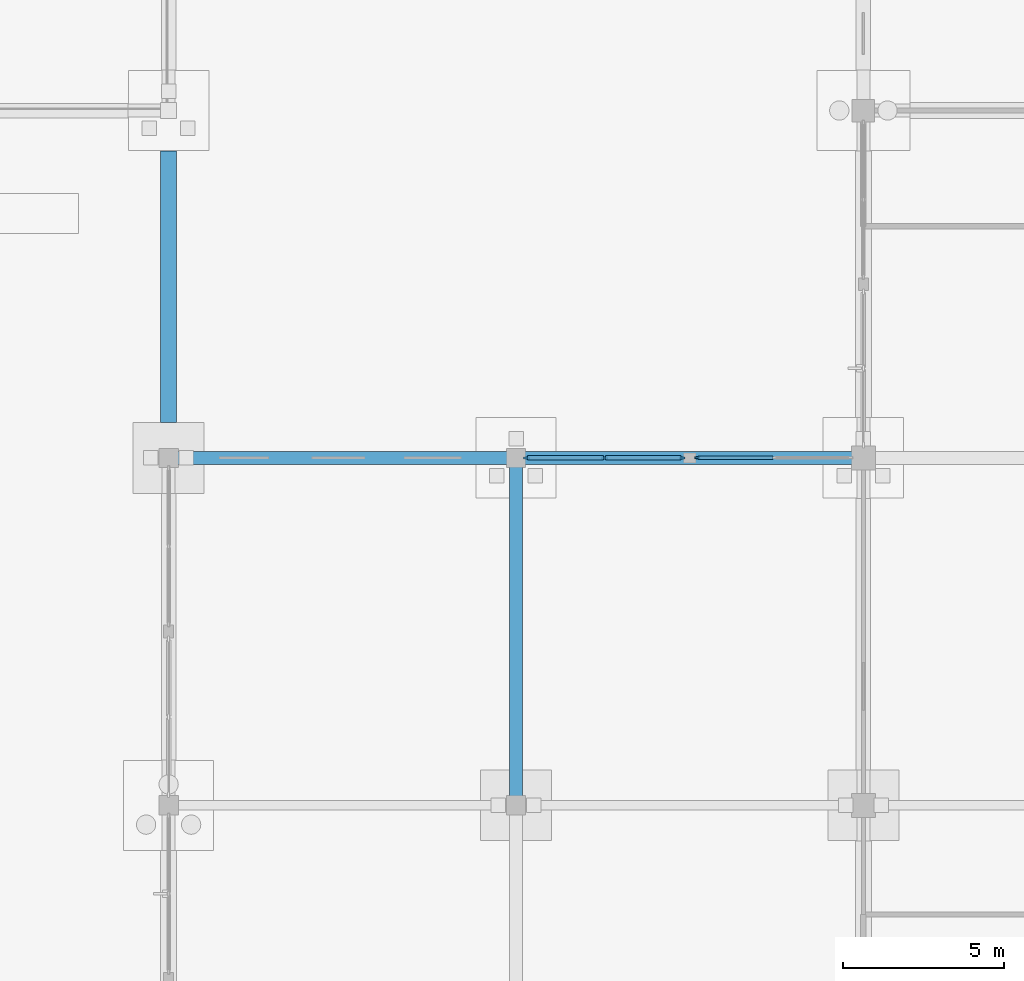
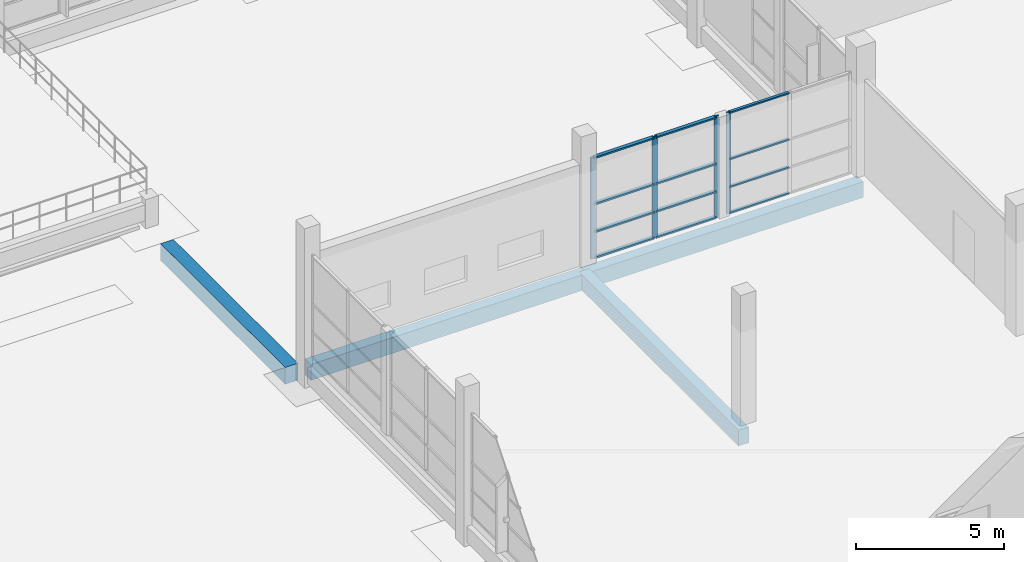
# One storey, part 31 of 138: 16 members, 4 beams, 2 elements without a shape of their own.
"""IFC4 building model written with IfcOpenShell, lengths in metres."""

from ifc_helpers import new_model, si_unit, direction, frame, origin, origin_2d, place, context, subcontext, project, spatial, rectangle, extrude, material, material_profile, profile_set, type_object, element, aggregate, save


model = new_model("IFC4")

# Units and contexts
model_context = context("Model", 3, precision=1e-05, world=origin(), true_north=direction((0.0, 1.0)))
body_context = subcontext(model_context, "Body", "Model", "MODEL_VIEW")
ifc_project = project(units=[si_unit("LENGTHUNIT", "METRE"), si_unit("AREAUNIT", "SQUARE_METRE"), si_unit("VOLUMEUNIT", "CUBIC_METRE"), si_unit("PLANEANGLEUNIT", "RADIAN"), si_unit("MASSUNIT", "GRAM", prefix="KILO")], contexts=[model_context])

# Site, building, storey
site_placement = place(None, origin())
site = spatial("IfcSite", under=ifc_project, at=site_placement, CompositionType="ELEMENT")
building_placement = place(site_placement, origin())
building = spatial("IfcBuilding", under=site, at=building_placement, Name="Zwinboog Wholesale Market", CompositionType="ELEMENT")
storey_placement = place(building_placement, origin())
storey = spatial("IfcBuildingStorey", under=building, at=storey_placement, Name="L00", CompositionType="ELEMENT", Elevation=0.0)

# Beams
ifc_material_1 = material(Name="Precast concrete C45/55", Category="concrete")
ifc_material_profile_1 = material_profile(ifc_material_1, rectangle(XDim=0.39990234375, YDim=0.64990234375, at=origin_2d()), Name="PC 400x650")
ifc_profile_set_1 = profile_set([ifc_material_profile_1], Name="Precast concrete C45/55")
beam_type_1 = type_object("IfcBeamType", Name="BT-05", PredefinedType="BEAM", material=ifc_profile_set_1)
for number, where, z_axis, x_axis, name in (
    (1, (108.0, 21.60009765625, -0.705078125), (1.0, 0.0, 0.0), (0.0, 1.0, 0.0), "BG-05 (BMG-L00-1080-0216-0033)"),
    (2, (118.800048828125, 21.60009765625, -0.705078125), (1.0, 0.0, 0.0), (0.0, 1.0, 0.0), "BG-05 (BMG-L00-1188-0216-0034)"),
    (3, (118.800048828125, 10.800048828125, -0.705078125), (0.0, 1.0, 0.0), (-1.0, 0.0, 0.0), "BG-05 (BMG-L00-1188-0108-0320)"),
):
    element("IfcBeam", number, at=place(storey_placement, frame(where, z_axis=z_axis, x_axis=x_axis)), inside=storey, type_object=beam_type_1, Name=name, PredefinedType="BEAM", context=body_context, shape_type="SweptSolid", body=[
        extrude(rectangle(XDim=0.39990234375, YDim=0.64990234375, at=origin_2d()), origin(), (0.0, 0.0, 1.0), 10.800048828125),
    ])
ifc_material_2 = material(Name="Concrete C35/45", Category="concrete")
ifc_material_profile_2 = material_profile(ifc_material_2, rectangle(XDim=0.5, YDim=0.699951171875, at=origin_2d()), Name="RC 500x700")
ifc_profile_set_2 = profile_set([ifc_material_profile_2], Name="Concrete C35/45")
beam_type_2 = type_object("IfcBeamType", Name="BT-12", PredefinedType="USERDEFINED", material=ifc_profile_set_2)
beam_placement = place(storey_placement, frame((108.0, 22.705078125, -1.550048828125), z_axis=(0.0, 1.0, 0.0), x_axis=(-1.0, 0.0, 0.0)))
element("IfcBeam", 4, at=beam_placement, inside=storey, type_object=beam_type_2, Name="GB-01 (BM-GB-0162)", ObjectType="GROUND_BEAM", PredefinedType="USERDEFINED", context=body_context, shape_type="SweptSolid", body=[
    extrude(rectangle(XDim=0.5, YDim=0.699951171875, at=origin_2d()), origin(), (0.0, 0.0, 1.0), 8.43994140625),
])

# Curtain wall, members
ifc_material_3 = material(Name="Aluminium thermally broken curtain wall", Category="aluminium")
curtain_wall_type_1 = type_object("IfcCurtainWallType", Name="CWT-CAFE-22", PredefinedType="USERDEFINED", material=ifc_material_3)
curtain_wall_1_placement = place(storey_placement, origin())
curtain_wall_1 = element("IfcCurtainWall", 5, at=curtain_wall_1_placement, inside=storey, type_object=curtain_wall_type_1, Name="CW-05 (CW-L00-041)", ObjectType="STOREFRONT_GLAZING", PredefinedType="USERDEFINED")
ifc_material_4 = material(Name="Aluminium EN AW-6060", Category="aluminium")
ifc_material_profile_3 = material_profile(ifc_material_4, rectangle(XDim=0.06494140625, YDim=0.179931640625, at=origin_2d()), Name="AL 65x180")
ifc_profile_set_3 = profile_set([ifc_material_profile_3], Name="Aluminium EN AW-6060")
member_type_1 = type_object("IfcMemberType", Name="CWM-65x180", PredefinedType="MULLION", material=ifc_profile_set_3)
member_1_placement = place(storey_placement, frame((119.12744140625, 21.60009765625, 0.0), z_axis=(0.0, 0.0, 1.0), x_axis=(0.0, 1.0, 0.0)))
member_1 = element("IfcMember", 6, at=member_1_placement, type_object=member_type_1, Name="CW-05 mullion 1", PredefinedType="MULLION", context=body_context, shape_type="SweptSolid", body=[
    extrude(rectangle(XDim=0.06494140625, YDim=0.179931640625, at=origin_2d()), origin(), (0.0, 0.0, 1.0), 4.197998046875),
])
member_2_placement = place(storey_placement, frame((121.547607421875, 21.60009765625, 0.0), z_axis=(0.0, 0.0, 1.0), x_axis=(0.0, 1.0, 0.0)))
member_2 = element("IfcMember", 7, at=member_2_placement, type_object=member_type_1, Name="CW-05 mullion 2", PredefinedType="MULLION", context=body_context, shape_type="SweptSolid", body=[
    extrude(rectangle(XDim=0.06494140625, YDim=0.179931640625, at=origin_2d()), origin(), (0.0, 0.0, 1.0), 4.197998046875),
])
member_3_placement = place(storey_placement, frame((123.967529296875, 21.60009765625, 0.0), z_axis=(0.0, 0.0, 1.0), x_axis=(0.0, 1.0, 0.0)))
member_3 = element("IfcMember", 8, at=member_3_placement, type_object=member_type_1, Name="CW-05 mullion 3", PredefinedType="MULLION", context=body_context, shape_type="SweptSolid", body=[
    extrude(rectangle(XDim=0.06494140625, YDim=0.179931640625, at=origin_2d()), origin(), (0.0, 0.0, 1.0), 4.197998046875),
])

# Curtain wall, member
curtain_wall_type_2 = type_object("IfcCurtainWallType", Name="CWT-OFF-15", PredefinedType="USERDEFINED", material=ifc_material_3)
curtain_wall_2_placement = place(storey_placement, origin())
curtain_wall_2 = element("IfcCurtainWall", 9, at=curtain_wall_2_placement, inside=storey, type_object=curtain_wall_type_2, Name="CW-06 (CW-L00-042)", ObjectType="UNITIZED_CURTAIN_WALL", PredefinedType="USERDEFINED")
ifc_material_profile_4 = material_profile(ifc_material_4, rectangle(XDim=0.06005859375, YDim=0.14990234375, at=origin_2d()), Name="AL 60x150")
ifc_profile_set_4 = profile_set([ifc_material_profile_4], Name="Aluminium EN AW-6060")
member_type_2 = type_object("IfcMemberType", Name="CWM-60x150", PredefinedType="MULLION", material=ifc_profile_set_4)
member_4_placement = place(storey_placement, frame((124.429931640625, 21.60009765625, 0.0), z_axis=(0.0, 0.0, 1.0), x_axis=(0.0, 1.0, 0.0)))
member_4 = element("IfcMember", 10, at=member_4_placement, type_object=member_type_2, Name="CW-06 mullion 1", PredefinedType="MULLION", context=body_context, shape_type="SweptSolid", body=[
    extrude(rectangle(XDim=0.06005859375, YDim=0.14990234375, at=origin_2d()), origin(), (0.0, 0.0, 1.0), 4.197998046875),
])

# Member
ifc_material_profile_5 = material_profile(ifc_material_4, rectangle(XDim=0.139892578125, YDim=0.06494140625, at=origin_2d()), Name="AL 65x140")
ifc_profile_set_5 = profile_set([ifc_material_profile_5], Name="Aluminium EN AW-6060")
member_type_3 = type_object("IfcMemberType", Name="CWT-65x140", PredefinedType="USERDEFINED", material=ifc_profile_set_5)
member_5_placement = place(storey_placement, frame((119.159912109375, 21.60009765625, 0.032470703125), z_axis=(1.0, 0.0, 0.0), x_axis=(0.0, 1.0, 0.0)))
member_5 = element("IfcMember", 11, at=member_5_placement, type_object=member_type_3, Name="CW-05 transom 1.1", ObjectType="TRANSOM", PredefinedType="USERDEFINED", context=body_context, shape_type="SweptSolid", body=[
    extrude(rectangle(XDim=0.139892578125, YDim=0.06494140625, at=origin_2d()), origin(), (0.0, 0.0, 1.0), 2.35498046875),
])

member_6_placement = place(storey_placement, frame((119.159912109375, 21.60009765625, 1.10009765625), z_axis=(1.0, 0.0, 0.0), x_axis=(0.0, 1.0, 0.0)))
member_6 = element("IfcMember", 12, at=member_6_placement, type_object=member_type_3, Name="CW-05 transom 1.2", ObjectType="TRANSOM", PredefinedType="USERDEFINED", context=body_context, shape_type="SweptSolid", body=[
    extrude(rectangle(XDim=0.139892578125, YDim=0.06494140625, at=origin_2d()), origin(), (0.0, 0.0, 1.0), 2.35498046875),
])

member_7_placement = place(storey_placement, frame((119.159912109375, 21.60009765625, 2.25), z_axis=(1.0, 0.0, 0.0), x_axis=(0.0, 1.0, 0.0)))
member_7 = element("IfcMember", 13, at=member_7_placement, type_object=member_type_3, Name="CW-05 transom 1.3", ObjectType="TRANSOM", PredefinedType="USERDEFINED", context=body_context, shape_type="SweptSolid", body=[
    extrude(rectangle(XDim=0.139892578125, YDim=0.06494140625, at=origin_2d()), origin(), (0.0, 0.0, 1.0), 2.35498046875),
])

member_8_placement = place(storey_placement, frame((119.159912109375, 21.60009765625, 4.16552734375), z_axis=(1.0, 0.0, 0.0), x_axis=(0.0, 1.0, 0.0)))
member_8 = element("IfcMember", 14, at=member_8_placement, type_object=member_type_3, Name="CW-05 transom 1.4", ObjectType="TRANSOM", PredefinedType="USERDEFINED", context=body_context, shape_type="SweptSolid", body=[
    extrude(rectangle(XDim=0.139892578125, YDim=0.06494140625, at=origin_2d()), origin(), (0.0, 0.0, 1.0), 2.35498046875),
])

member_9_placement = place(storey_placement, frame((121.580078125, 21.60009765625, 0.032470703125), z_axis=(1.0, 0.0, 0.0), x_axis=(0.0, 1.0, 0.0)))
member_9 = element("IfcMember", 15, at=member_9_placement, type_object=member_type_3, Name="CW-05 transom 2.1", ObjectType="TRANSOM", PredefinedType="USERDEFINED", context=body_context, shape_type="SweptSolid", body=[
    extrude(rectangle(XDim=0.139892578125, YDim=0.06494140625, at=origin_2d()), origin(), (0.0, 0.0, 1.0), 2.35498046875),
])

member_10_placement = place(storey_placement, frame((121.580078125, 21.60009765625, 1.10009765625), z_axis=(1.0, 0.0, 0.0), x_axis=(0.0, 1.0, 0.0)))
member_10 = element("IfcMember", 16, at=member_10_placement, type_object=member_type_3, Name="CW-05 transom 2.2", ObjectType="TRANSOM", PredefinedType="USERDEFINED", context=body_context, shape_type="SweptSolid", body=[
    extrude(rectangle(XDim=0.139892578125, YDim=0.06494140625, at=origin_2d()), origin(), (0.0, 0.0, 1.0), 2.35498046875),
])

member_11_placement = place(storey_placement, frame((121.580078125, 21.60009765625, 2.25), z_axis=(1.0, 0.0, 0.0), x_axis=(0.0, 1.0, 0.0)))
member_11 = element("IfcMember", 17, at=member_11_placement, type_object=member_type_3, Name="CW-05 transom 2.3", ObjectType="TRANSOM", PredefinedType="USERDEFINED", context=body_context, shape_type="SweptSolid", body=[
    extrude(rectangle(XDim=0.139892578125, YDim=0.06494140625, at=origin_2d()), origin(), (0.0, 0.0, 1.0), 2.35498046875),
])

member_12_placement = place(storey_placement, frame((121.580078125, 21.60009765625, 4.16552734375), z_axis=(1.0, 0.0, 0.0), x_axis=(0.0, 1.0, 0.0)))
member_12 = element("IfcMember", 18, at=member_12_placement, type_object=member_type_3, Name="CW-05 transom 2.4", ObjectType="TRANSOM", PredefinedType="USERDEFINED", context=body_context, shape_type="SweptSolid", body=[
    extrude(rectangle(XDim=0.139892578125, YDim=0.06494140625, at=origin_2d()), origin(), (0.0, 0.0, 1.0), 2.35498046875),
])

aggregate(curtain_wall_1, [member_1, member_2, member_3, member_5, member_6, member_7, member_8, member_9, member_10, member_11, member_12])

ifc_material_profile_6 = material_profile(ifc_material_4, rectangle(XDim=0.110107421875, YDim=0.06005859375, at=origin_2d()), Name="AL 60x110")
ifc_profile_set_6 = profile_set([ifc_material_profile_6], Name="Aluminium EN AW-6060")
member_type_4 = type_object("IfcMemberType", Name="CWT-60x110", PredefinedType="USERDEFINED", material=ifc_profile_set_6)
member_13_placement = place(storey_placement, frame((124.4599609375, 21.60009765625, 0.030029296875), z_axis=(1.0, 0.0, 0.0), x_axis=(0.0, 1.0, 0.0)))
member_13 = element("IfcMember", 19, at=member_13_placement, type_object=member_type_4, Name="CW-06 transom 1.1", ObjectType="TRANSOM", PredefinedType="USERDEFINED", context=body_context, shape_type="SweptSolid", body=[
    extrude(rectangle(XDim=0.110107421875, YDim=0.06005859375, at=origin_2d()), origin(), (0.0, 0.0, 1.0), 2.324951171875),
])

member_14_placement = place(storey_placement, frame((124.4599609375, 21.60009765625, 1.10009765625), z_axis=(1.0, 0.0, 0.0), x_axis=(0.0, 1.0, 0.0)))
member_14 = element("IfcMember", 20, at=member_14_placement, type_object=member_type_4, Name="CW-06 transom 1.2", ObjectType="TRANSOM", PredefinedType="USERDEFINED", context=body_context, shape_type="SweptSolid", body=[
    extrude(rectangle(XDim=0.110107421875, YDim=0.06005859375, at=origin_2d()), origin(), (0.0, 0.0, 1.0), 2.324951171875),
])

member_15_placement = place(storey_placement, frame((124.4599609375, 21.60009765625, 2.25), z_axis=(1.0, 0.0, 0.0), x_axis=(0.0, 1.0, 0.0)))
member_15 = element("IfcMember", 21, at=member_15_placement, type_object=member_type_4, Name="CW-06 transom 1.3", ObjectType="TRANSOM", PredefinedType="USERDEFINED", context=body_context, shape_type="SweptSolid", body=[
    extrude(rectangle(XDim=0.110107421875, YDim=0.06005859375, at=origin_2d()), origin(), (0.0, 0.0, 1.0), 2.324951171875),
])

member_16_placement = place(storey_placement, frame((124.4599609375, 21.60009765625, 4.16796875), z_axis=(1.0, 0.0, 0.0), x_axis=(0.0, 1.0, 0.0)))
member_16 = element("IfcMember", 22, at=member_16_placement, type_object=member_type_4, Name="CW-06 transom 1.4", ObjectType="TRANSOM", PredefinedType="USERDEFINED", context=body_context, shape_type="SweptSolid", body=[
    extrude(rectangle(XDim=0.110107421875, YDim=0.06005859375, at=origin_2d()), origin(), (0.0, 0.0, 1.0), 2.324951171875),
])

aggregate(curtain_wall_2, [member_4, member_13, member_14, member_15, member_16])

save(model, "model.ifc")
